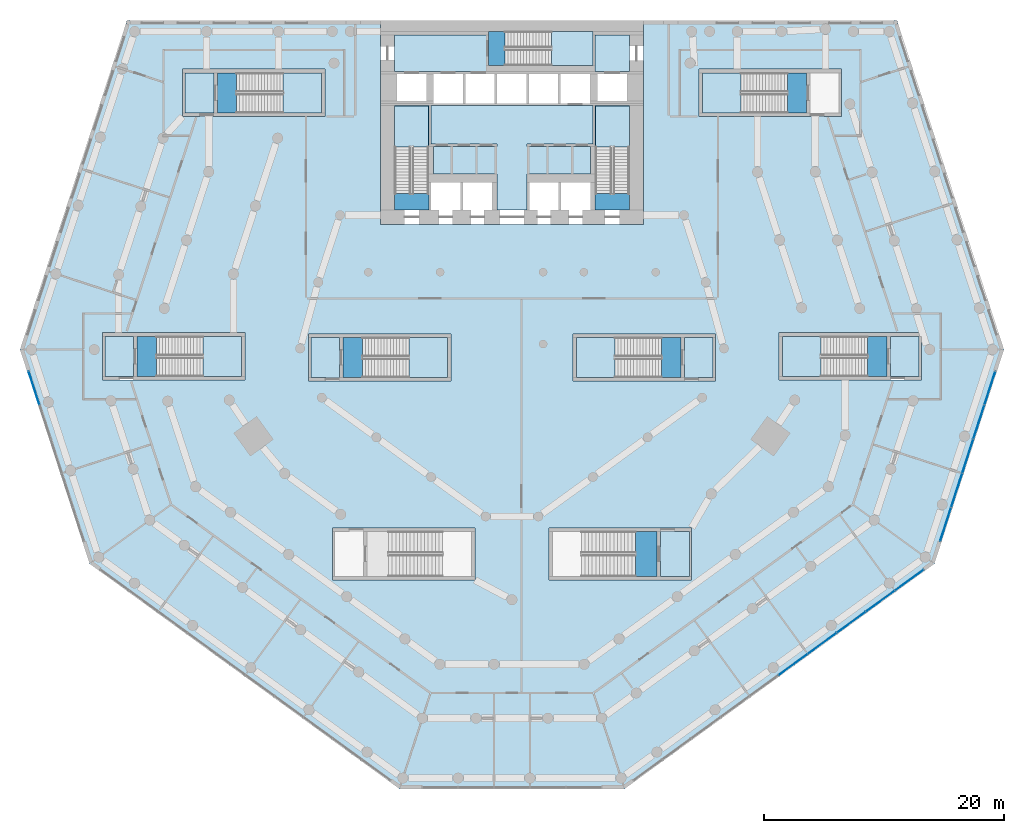
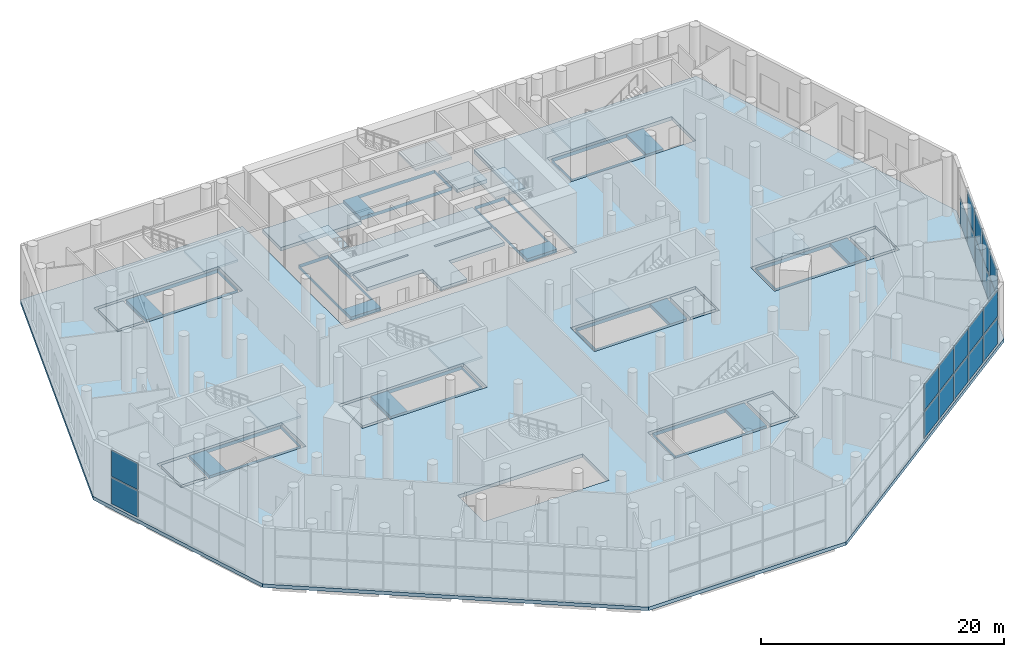
# One storey, part 10 of 23: 29 slabs, 21 plates, 12 elements without a shape of their own.
"""IFC4 building model written with IfcOpenShell, lengths in metres."""

from ifc_helpers import new_model, si_unit, direction, frame, origin, origin_2d, place, context, subcontext, project, spatial, polyline, rectangle, outline, extrude, material, layer, layer_set, type_object, element, aggregate, save


model = new_model("IFC4")

# Units and contexts
model_context = context("Model", 3, precision=1e-05, world=origin(), true_north=direction((0.0, 1.0)))
body_context = subcontext(model_context, "Body", "Model", "MODEL_VIEW")
ifc_project = project(units=[si_unit("LENGTHUNIT", "METRE"), si_unit("AREAUNIT", "SQUARE_METRE"), si_unit("VOLUMEUNIT", "CUBIC_METRE"), si_unit("PLANEANGLEUNIT", "RADIAN"), si_unit("MASSUNIT", "GRAM", prefix="KILO")], contexts=[model_context])

# Site, building, storey
site_placement = place(None, origin())
site = spatial("IfcSite", under=ifc_project, at=site_placement, CompositionType="ELEMENT")
building_placement = place(site_placement, origin())
building = spatial("IfcBuilding", under=site, at=building_placement, Name="White Candle Pilgrim Tower", CompositionType="ELEMENT")
storey_placement = place(building_placement, frame((0.0, 0.0, 9.0)))
storey = spatial("IfcBuildingStorey", under=building, at=storey_placement, Name="L01", CompositionType="ELEMENT", Elevation=9.0)

# Curtain wall, plates
ifc_material_1 = material(Name="Aluminium and glass", Category="aluminium")
curtain_wall_type = type_object("IfcCurtainWallType", Name="Curtain wall CW1 hall glazing", PredefinedType="NOTDEFINED", material=ifc_material_1)
curtain_wall_1_placement = place(storey_placement, origin())
curtain_wall_1 = element("IfcCurtainWall", 1, at=curtain_wall_1_placement, inside=storey, type_object=curtain_wall_type, Name="Curtain wall CW1 L01 W chamfer", PredefinedType="NOTDEFINED")
ifc_material_2 = material(Name="Glass, triple glazed", Category="glass")
ifc_layer_1 = layer(ifc_material_2, 0.0400390625)
ifc_layer_set_1 = layer_set([ifc_layer_1], Name="CW1 glazing panel 40")
plate_type = type_object("IfcPlateType", Name="CW1 glazing panel 40", PredefinedType="CURTAIN_PANEL", material=ifc_layer_set_1)
plate_1_placement = place(storey_placement, frame((30.094970703125, 57.3271484375, 0.119873046875), z_axis=(0.0, 0.0, 1.0), x_axis=(0.309016994392, -0.95105651629, 0.0)))
plate_1 = element("IfcPlate", 2, at=plate_1_placement, type_object=plate_type, Name="CW1 panel 1.1", PredefinedType="CURTAIN_PANEL", context=body_context, shape_type="SweptSolid", body=[
    extrude(rectangle(XDim=2.909912109375, YDim=0.0400390625, at=origin_2d()), origin(), (0.0, 0.0, 1.0), 2.64501953125),
])
plate_2_placement = place(storey_placement, frame((30.094970703125, 57.3271484375, 2.885009765625), z_axis=(0.0, 0.0, 1.0), x_axis=(0.309016994392, -0.95105651629, 0.0)))
plate_2 = element("IfcPlate", 3, at=plate_2_placement, type_object=plate_type, Name="CW1 panel 1.2", PredefinedType="CURTAIN_PANEL", context=body_context, shape_type="SweptSolid", body=[
    extrude(rectangle(XDim=2.909912109375, YDim=0.0400390625, at=origin_2d()), origin(), (0.0, 0.0, 1.0), 2.64501953125),
])
aggregate(curtain_wall_1, [plate_1, plate_2])

curtain_wall_2_placement = place(storey_placement, origin())
curtain_wall_2 = element("IfcCurtainWall", 4, at=curtain_wall_2_placement, inside=storey, type_object=curtain_wall_type, Name="Curtain wall CW1 L01 SE", PredefinedType="NOTDEFINED")
plate_3_placement = place(storey_placement, frame((93.475830078125, 34.240234375, 0.119873046875), z_axis=(0.0, 0.0, 1.0), x_axis=(0.809016991061, 0.587785256853, 0.0)))
plate_3 = element("IfcPlate", 5, at=plate_3_placement, type_object=plate_type, Name="CW1 panel 6.1", PredefinedType="CURTAIN_PANEL", context=body_context, shape_type="SweptSolid", body=[
    extrude(rectangle(XDim=2.93994140625, YDim=0.0400390625, at=origin_2d()), origin(), (0.0, 0.0, 1.0), 2.64501953125),
])
plate_4_placement = place(storey_placement, frame((93.475830078125, 34.240234375, 2.885009765625), z_axis=(0.0, 0.0, 1.0), x_axis=(0.809016991061, 0.587785256853, 0.0)))
plate_4 = element("IfcPlate", 6, at=plate_4_placement, type_object=plate_type, Name="CW1 panel 6.2", PredefinedType="CURTAIN_PANEL", context=body_context, shape_type="SweptSolid", body=[
    extrude(rectangle(XDim=2.93994140625, YDim=0.0400390625, at=origin_2d()), origin(), (0.0, 0.0, 1.0), 2.64501953125),
])
plate_5_placement = place(storey_placement, frame((95.90283203125, 36.00341796875, 0.119873046875), z_axis=(0.0, 0.0, 1.0), x_axis=(0.809016991061, 0.587785256853, 0.0)))
plate_5 = element("IfcPlate", 7, at=plate_5_placement, type_object=plate_type, Name="CW1 panel 7.1", PredefinedType="CURTAIN_PANEL", context=body_context, shape_type="SweptSolid", body=[
    extrude(rectangle(XDim=2.93994140625, YDim=0.0400390625, at=origin_2d()), origin(), (0.0, 0.0, 1.0), 2.64501953125),
])
plate_6_placement = place(storey_placement, frame((95.90283203125, 36.00341796875, 2.885009765625), z_axis=(0.0, 0.0, 1.0), x_axis=(0.809016991061, 0.587785256853, 0.0)))
plate_6 = element("IfcPlate", 8, at=plate_6_placement, type_object=plate_type, Name="CW1 panel 7.2", PredefinedType="CURTAIN_PANEL", context=body_context, shape_type="SweptSolid", body=[
    extrude(rectangle(XDim=2.93994140625, YDim=0.0400390625, at=origin_2d()), origin(), (0.0, 0.0, 1.0), 2.64501953125),
])
plate_7_placement = place(storey_placement, frame((98.330078125, 37.766845703125, 0.119873046875), z_axis=(0.0, 0.0, 1.0), x_axis=(0.809016991061, 0.587785256853, 0.0)))
plate_7 = element("IfcPlate", 9, at=plate_7_placement, type_object=plate_type, Name="CW1 panel 8.1", PredefinedType="CURTAIN_PANEL", context=body_context, shape_type="SweptSolid", body=[
    extrude(rectangle(XDim=2.93994140625, YDim=0.0400390625, at=origin_2d()), origin(), (0.0, 0.0, 1.0), 2.64501953125),
])
plate_8_placement = place(storey_placement, frame((98.330078125, 37.766845703125, 2.885009765625), z_axis=(0.0, 0.0, 1.0), x_axis=(0.809016991061, 0.587785256853, 0.0)))
plate_8 = element("IfcPlate", 10, at=plate_8_placement, type_object=plate_type, Name="CW1 panel 8.2", PredefinedType="CURTAIN_PANEL", context=body_context, shape_type="SweptSolid", body=[
    extrude(rectangle(XDim=2.93994140625, YDim=0.0400390625, at=origin_2d()), origin(), (0.0, 0.0, 1.0), 2.64501953125),
])
plate_9_placement = place(storey_placement, frame((100.757080078125, 39.5302734375, 0.119873046875), z_axis=(0.0, 0.0, 1.0), x_axis=(0.809016991061, 0.587785256853, 0.0)))
plate_9 = element("IfcPlate", 11, at=plate_9_placement, type_object=plate_type, Name="CW1 panel 9.1", PredefinedType="CURTAIN_PANEL", context=body_context, shape_type="SweptSolid", body=[
    extrude(rectangle(XDim=2.93994140625, YDim=0.0400390625, at=origin_2d()), origin(), (0.0, 0.0, 1.0), 2.64501953125),
])
plate_10_placement = place(storey_placement, frame((100.757080078125, 39.5302734375, 2.885009765625), z_axis=(0.0, 0.0, 1.0), x_axis=(0.809016991061, 0.587785256853, 0.0)))
plate_10 = element("IfcPlate", 12, at=plate_10_placement, type_object=plate_type, Name="CW1 panel 9.2", PredefinedType="CURTAIN_PANEL", context=body_context, shape_type="SweptSolid", body=[
    extrude(rectangle(XDim=2.93994140625, YDim=0.0400390625, at=origin_2d()), origin(), (0.0, 0.0, 1.0), 2.64501953125),
])
plate_11_placement = place(storey_placement, frame((103.171875, 41.28466796875, 0.119873046875), z_axis=(0.0, 0.0, 1.0), x_axis=(0.809016991061, 0.587785256853, 0.0)))
plate_11 = element("IfcPlate", 13, at=plate_11_placement, type_object=plate_type, Name="CW1 panel 10.1", PredefinedType="CURTAIN_PANEL", context=body_context, shape_type="SweptSolid", body=[
    extrude(rectangle(XDim=2.909912109375, YDim=0.0400390625, at=origin_2d()), origin(), (0.0, 0.0, 1.0), 2.64501953125),
])
plate_12_placement = place(storey_placement, frame((103.171875, 41.28466796875, 2.885009765625), z_axis=(0.0, 0.0, 1.0), x_axis=(0.809016991061, 0.587785256853, 0.0)))
plate_12 = element("IfcPlate", 14, at=plate_12_placement, type_object=plate_type, Name="CW1 panel 10.2", PredefinedType="CURTAIN_PANEL", context=body_context, shape_type="SweptSolid", body=[
    extrude(rectangle(XDim=2.909912109375, YDim=0.0400390625, at=origin_2d()), origin(), (0.0, 0.0, 1.0), 2.64501953125),
])
aggregate(curtain_wall_2, [plate_3, plate_4, plate_5, plate_6, plate_7, plate_8, plate_9, plate_10, plate_11, plate_12])

curtain_wall_3_placement = place(storey_placement, origin())
curtain_wall_3 = element("IfcCurtainWall", 15, at=curtain_wall_3_placement, inside=storey, type_object=curtain_wall_type, Name="Curtain wall CW1 L01 E chamfer", PredefinedType="NOTDEFINED")
plate_13_placement = place(storey_placement, frame((106.2060546875, 45.94287109375, 0.119873046875), z_axis=(0.0, 0.0, 1.0), x_axis=(0.309016994342, 0.951056516306, 0.0)))
plate_13 = element("IfcPlate", 16, at=plate_13_placement, type_object=plate_type, Name="CW1 panel 1.1", PredefinedType="CURTAIN_PANEL", context=body_context, shape_type="SweptSolid", body=[
    extrude(rectangle(XDim=2.909912109375, YDim=0.0400390625, at=origin_2d()), origin(), (0.0, 0.0, 1.0), 2.64501953125),
])
plate_14_placement = place(storey_placement, frame((106.2060546875, 45.94287109375, 2.885009765625), z_axis=(0.0, 0.0, 1.0), x_axis=(0.309016994342, 0.951056516306, 0.0)))
plate_14 = element("IfcPlate", 17, at=plate_14_placement, type_object=plate_type, Name="CW1 panel 1.2", PredefinedType="CURTAIN_PANEL", context=body_context, shape_type="SweptSolid", body=[
    extrude(rectangle(XDim=2.909912109375, YDim=0.0400390625, at=origin_2d()), origin(), (0.0, 0.0, 1.0), 2.64501953125),
])
plate_15_placement = place(storey_placement, frame((107.12841796875, 48.78173828125, 0.119873046875), z_axis=(0.0, 0.0, 1.0), x_axis=(0.309016994342, 0.951056516306, 0.0)))
plate_15 = element("IfcPlate", 18, at=plate_15_placement, type_object=plate_type, Name="CW1 panel 2.1", PredefinedType="CURTAIN_PANEL", context=body_context, shape_type="SweptSolid", body=[
    extrude(rectangle(XDim=2.93994140625, YDim=0.0400390625, at=origin_2d()), origin(), (0.0, 0.0, 1.0), 2.64501953125),
])
plate_16_placement = place(storey_placement, frame((107.12841796875, 48.78173828125, 2.885009765625), z_axis=(0.0, 0.0, 1.0), x_axis=(0.309016994342, 0.951056516306, 0.0)))
plate_16 = element("IfcPlate", 19, at=plate_16_placement, type_object=plate_type, Name="CW1 panel 2.2", PredefinedType="CURTAIN_PANEL", context=body_context, shape_type="SweptSolid", body=[
    extrude(rectangle(XDim=2.93994140625, YDim=0.0400390625, at=origin_2d()), origin(), (0.0, 0.0, 1.0), 2.64501953125),
])
plate_17_placement = place(storey_placement, frame((108.055419921875, 51.635009765625, 0.119873046875), z_axis=(0.0, 0.0, 1.0), x_axis=(0.309016994342, 0.951056516306, 0.0)))
plate_17 = element("IfcPlate", 20, at=plate_17_placement, type_object=plate_type, Name="CW1 panel 3.1", PredefinedType="CURTAIN_PANEL", context=body_context, shape_type="SweptSolid", body=[
    extrude(rectangle(XDim=2.93994140625, YDim=0.0400390625, at=origin_2d()), origin(), (0.0, 0.0, 1.0), 2.64501953125),
])
plate_18_placement = place(storey_placement, frame((108.055419921875, 51.635009765625, 2.885009765625), z_axis=(0.0, 0.0, 1.0), x_axis=(0.309016994342, 0.951056516306, 0.0)))
plate_18 = element("IfcPlate", 21, at=plate_18_placement, type_object=plate_type, Name="CW1 panel 3.2", PredefinedType="CURTAIN_PANEL", context=body_context, shape_type="SweptSolid", body=[
    extrude(rectangle(XDim=2.93994140625, YDim=0.0400390625, at=origin_2d()), origin(), (0.0, 0.0, 1.0), 2.64501953125),
])
plate_19_placement = place(storey_placement, frame((108.982666015625, 54.48828125, 0.119873046875), z_axis=(0.0, 0.0, 1.0), x_axis=(0.309016994342, 0.951056516306, 0.0)))
plate_19 = element("IfcPlate", 22, at=plate_19_placement, type_object=plate_type, Name="CW1 panel 4.1", PredefinedType="CURTAIN_PANEL", context=body_context, shape_type="SweptSolid", body=[
    extrude(rectangle(XDim=2.93994140625, YDim=0.0400390625, at=origin_2d()), origin(), (0.0, 0.0, 1.0), 2.64501953125),
])
plate_20_placement = place(storey_placement, frame((108.982666015625, 54.48828125, 2.885009765625), z_axis=(0.0, 0.0, 1.0), x_axis=(0.309016994342, 0.951056516306, 0.0)))
plate_20 = element("IfcPlate", 23, at=plate_20_placement, type_object=plate_type, Name="CW1 panel 4.2", PredefinedType="CURTAIN_PANEL", context=body_context, shape_type="SweptSolid", body=[
    extrude(rectangle(XDim=2.93994140625, YDim=0.0400390625, at=origin_2d()), origin(), (0.0, 0.0, 1.0), 2.64501953125),
])
plate_21_placement = place(storey_placement, frame((109.905029296875, 57.3271484375, 0.119873046875), z_axis=(0.0, 0.0, 1.0), x_axis=(0.309016994342, 0.951056516306, 0.0)))
plate_21 = element("IfcPlate", 24, at=plate_21_placement, type_object=plate_type, Name="CW1 panel 5.1", PredefinedType="CURTAIN_PANEL", context=body_context, shape_type="SweptSolid", body=[
    extrude(rectangle(XDim=2.909912109375, YDim=0.0400390625, at=origin_2d()), origin(), (0.0, 0.0, 1.0), 2.64501953125),
])
aggregate(curtain_wall_3, [plate_13, plate_14, plate_15, plate_16, plate_17, plate_18, plate_19, plate_20, plate_21])

# Slabs
ifc_material_3 = material(Name="Concrete C40/50", Category="concrete")
ifc_layer_2 = layer(ifc_material_3, 0.35009765625)
ifc_layer_set_2 = layer_set([ifc_layer_2], Name="Core floor slab 350 mm Concrete C40/50")
slab_type_1 = type_object("IfcSlabType", Name="Core floor slab 350 mm Concrete C40/50", PredefinedType="FLOOR", material=ifc_layer_set_2)
slab_1_placement = place(storey_placement, frame((0.0, 0.0, -0.35009765625)))
element("IfcSlab", 25, at=slab_1_placement, inside=storey, type_object=slab_type_1, Name="CF-L01-03", PredefinedType="FLOOR", context=body_context, shape_type="SweptSolid", body=[
    extrude(outline(polyline([(53.199951171875, 61.550048828125), (55.60009765625, 61.550048828125), (55.60009765625, 58.199951171875), (53.199951171875, 58.199951171875), (53.199951171875, 61.550048828125)])), origin(), (0.0, 0.0, 1.0), 0.35009765625),
])
slab_2_placement = place(storey_placement, frame((0.0, 0.0, -0.35009765625)))
element("IfcSlab", 26, at=slab_2_placement, inside=storey, type_object=slab_type_1, Name="CF-L01-04", PredefinedType="FLOOR", context=body_context, shape_type="SweptSolid", body=[
    extrude(outline(polyline([(55.89990234375, 61.550048828125), (64.60009765625, 61.550048828125), (64.60009765625, 58.199951171875), (55.89990234375, 58.199951171875), (55.89990234375, 61.550048828125)]), holes=[polyline([(64.597900390625, 61.548095703125), (57.501953125, 61.548095703125), (57.501953125, 58.201904296875), (64.597900390625, 58.201904296875), (64.597900390625, 61.548095703125)])]), origin(), (0.0, 0.0, 1.0), 0.35009765625),
])
slab_3_placement = place(storey_placement, frame((0.0, 0.0, -0.35009765625)))
element("IfcSlab", 27, at=slab_3_placement, inside=storey, type_object=slab_type_1, Name="CF-L01-05", PredefinedType="FLOOR", context=body_context, shape_type="SweptSolid", body=[
    extrude(outline(polyline([(36.0, 61.64990234375), (38.39990234375, 61.64990234375), (38.39990234375, 58.300048828125), (36.0, 58.300048828125), (36.0, 61.64990234375)])), origin(), (0.0, 0.0, 1.0), 0.35009765625),
])
slab_4_placement = place(storey_placement, frame((0.0, 0.0, -0.35009765625)))
element("IfcSlab", 28, at=slab_4_placement, inside=storey, type_object=slab_type_1, Name="CF-L01-06", PredefinedType="FLOOR", context=body_context, shape_type="SweptSolid", body=[
    extrude(outline(polyline([(47.39990234375, 61.64990234375), (47.39990234375, 58.300048828125), (38.699951171875, 58.300048828125), (38.699951171875, 61.64990234375), (47.39990234375, 61.64990234375)]), holes=[polyline([(47.39794921875, 61.64794921875), (40.302001953125, 61.64794921875), (40.302001953125, 58.302001953125), (47.39794921875, 58.302001953125), (47.39794921875, 61.64794921875)])]), origin(), (0.0, 0.0, 1.0), 0.35009765625),
])
slab_5_placement = place(storey_placement, frame((0.0, 0.0, -0.35009765625)))
element("IfcSlab", 29, at=slab_5_placement, inside=storey, type_object=slab_type_1, Name="CF-L01-07", PredefinedType="FLOOR", context=body_context, shape_type="SweptSolid", body=[
    extrude(outline(polyline([(60.199951171875, 80.89990234375), (63.050048828125, 80.89990234375), (63.050048828125, 77.699951171875), (63.050048828125, 77.5), (63.050048828125, 75.199951171875), (63.050048828125, 74.5), (63.050048828125, 72.199951171875), (60.199951171875, 72.199951171875), (60.199951171875, 80.89990234375)]), holes=[polyline([(60.201904296875, 80.89794921875), (60.201904296875, 73.552001953125), (63.048095703125, 73.552001953125), (63.048095703125, 80.89794921875), (60.201904296875, 80.89794921875)])]), origin(), (0.0, 0.0, 1.0), 0.35009765625),
])
slab_6_placement = place(storey_placement, frame((0.0, 0.0, -0.35009765625)))
element("IfcSlab", 30, at=slab_6_placement, inside=storey, type_object=slab_type_1, Name="CF-L01-08", PredefinedType="FLOOR", context=body_context, shape_type="SweptSolid", body=[
    extrude(outline(polyline([(60.199951171875, 86.800048828125), (67.85009765625, 86.800048828125), (67.85009765625, 84.25), (67.85009765625, 83.75), (60.199951171875, 83.75), (60.199951171875, 86.800048828125)])), origin(), (0.0, 0.0, 1.0), 0.35009765625),
])
slab_7_placement = place(storey_placement, frame((0.0, 0.0, -0.35009765625)))
element("IfcSlab", 31, at=slab_7_placement, inside=storey, type_object=slab_type_1, Name="CF-L01-09", PredefinedType="FLOOR", context=body_context, shape_type="SweptSolid", body=[
    extrude(outline(polyline([(68.050048828125, 87.10009765625), (76.75, 87.10009765625), (76.75, 86.800048828125), (76.75, 84.25), (68.050048828125, 84.25), (68.050048828125, 86.800048828125), (68.050048828125, 87.10009765625)]), holes=[polyline([(76.748046875, 87.097900390625), (69.402099609375, 87.097900390625), (69.402099609375, 84.251953125), (76.748046875, 84.251953125), (76.748046875, 87.097900390625)])]), origin(), (0.0, 0.0, 1.0), 0.35009765625),
])
slab_8_placement = place(storey_placement, frame((0.0, 0.0, -0.35009765625)))
element("IfcSlab", 32, at=slab_8_placement, inside=storey, type_object=slab_type_1, Name="CF-L01-10", PredefinedType="FLOOR", context=body_context, shape_type="SweptSolid", body=[
    extrude(outline(polyline([(79.800048828125, 86.800048828125), (79.800048828125, 83.75), (76.949951171875, 83.75), (76.949951171875, 84.25), (76.949951171875, 86.800048828125), (79.800048828125, 86.800048828125)])), origin(), (0.0, 0.0, 1.0), 0.35009765625),
])
slab_9_placement = place(storey_placement, frame((0.0, 0.0, -0.35009765625)))
element("IfcSlab", 33, at=slab_9_placement, inside=storey, type_object=slab_type_1, Name="CF-L01-11", PredefinedType="FLOOR", context=body_context, shape_type="SweptSolid", body=[
    extrude(outline(polyline([(79.800048828125, 72.199951171875), (76.949951171875, 72.199951171875), (76.949951171875, 74.5), (76.949951171875, 75.199951171875), (76.949951171875, 77.5), (76.949951171875, 77.699951171875), (76.949951171875, 80.89990234375), (79.800048828125, 80.89990234375), (79.800048828125, 72.199951171875)]), holes=[polyline([(76.951904296875, 73.552001953125), (79.798095703125, 73.552001953125), (79.798095703125, 80.89794921875), (76.951904296875, 80.89794921875), (76.951904296875, 73.552001953125)])]), origin(), (0.0, 0.0, 1.0), 0.35009765625),
])
slab_10_placement = place(storey_placement, frame((0.0, 0.0, -0.35009765625)))
element("IfcSlab", 34, at=slab_10_placement, inside=storey, type_object=slab_type_1, Name="CF-L01-12", PredefinedType="FLOOR", context=body_context, shape_type="SweptSolid", body=[
    extrude(outline(polyline([(68.75, 72.199951171875), (68.75, 74.5), (68.75, 75.199951171875), (63.449951171875, 75.199951171875), (63.449951171875, 77.5), (68.75, 77.5), (68.75, 77.699951171875), (63.25, 77.699951171875), (63.25, 80.89990234375), (76.75, 80.89990234375), (76.75, 77.699951171875), (71.25, 77.699951171875), (71.25, 77.5), (76.550048828125, 77.5), (76.550048828125, 75.199951171875), (71.25, 75.199951171875), (71.25, 74.5), (71.25, 72.199951171875), (68.75, 72.199951171875)])), origin(), (0.0, 0.0, 1.0), 0.35009765625),
])
slab_11_placement = place(storey_placement, frame((0.0, 0.0, -0.35009765625)))
element("IfcSlab", 35, at=slab_11_placement, inside=storey, type_object=slab_type_1, Name="CF-L01-13", PredefinedType="FLOOR", context=body_context, shape_type="SweptSolid", body=[
    extrude(outline(polyline([(45.10009765625, 83.64990234375), (45.10009765625, 80.300048828125), (42.699951171875, 80.300048828125), (42.699951171875, 83.64990234375), (45.10009765625, 83.64990234375)])), origin(), (0.0, 0.0, 1.0), 0.35009765625),
])
slab_12_placement = place(storey_placement, frame((0.0, 0.0, -0.35009765625)))
element("IfcSlab", 36, at=slab_12_placement, inside=storey, type_object=slab_type_1, Name="CF-L01-14", PredefinedType="FLOOR", context=body_context, shape_type="SweptSolid", body=[
    extrude(outline(polyline([(54.10009765625, 83.64990234375), (54.10009765625, 80.300048828125), (45.39990234375, 80.300048828125), (45.39990234375, 83.64990234375), (54.10009765625, 83.64990234375)]), holes=[polyline([(54.097900390625, 83.64794921875), (47.001953125, 83.64794921875), (47.001953125, 80.302001953125), (54.097900390625, 80.302001953125), (54.097900390625, 83.64794921875)])]), origin(), (0.0, 0.0, 1.0), 0.35009765625),
])
slab_13_placement = place(storey_placement, frame((0.0, 0.0, -0.35009765625)))
element("IfcSlab", 37, at=slab_13_placement, inside=storey, type_object=slab_type_1, Name="CF-L01-15", PredefinedType="FLOOR", context=body_context, shape_type="SweptSolid", body=[
    extrude(outline(polyline([(82.10009765625, 41.60009765625), (73.39990234375, 41.60009765625), (73.39990234375, 45.35009765625), (82.10009765625, 45.35009765625), (82.10009765625, 41.60009765625)]), holes=[polyline([(73.402099609375, 41.60205078125), (80.298095703125, 41.60205078125), (80.298095703125, 45.347900390625), (73.402099609375, 45.347900390625), (73.402099609375, 41.60205078125)])]), origin(), (0.0, 0.0, 1.0), 0.35009765625),
])
slab_14_placement = place(storey_placement, frame((0.0, 0.0, -0.35009765625)))
element("IfcSlab", 38, at=slab_14_placement, inside=storey, type_object=slab_type_1, Name="CF-L01-16", PredefinedType="FLOOR", context=body_context, shape_type="SweptSolid", body=[
    extrude(outline(polyline([(84.800048828125, 41.60009765625), (82.39990234375, 41.60009765625), (82.39990234375, 45.35009765625), (84.800048828125, 45.35009765625), (84.800048828125, 41.60009765625)])), origin(), (0.0, 0.0, 1.0), 0.35009765625),
])
slab_15_placement = place(storey_placement, frame((0.0, 0.0, -0.35009765625)))
element("IfcSlab", 39, at=slab_15_placement, inside=storey, type_object=slab_type_1, Name="CF-L01-17", PredefinedType="FLOOR", context=body_context, shape_type="SweptSolid", body=[
    extrude(outline(polyline([(75.39990234375, 61.550048828125), (84.10009765625, 61.550048828125), (84.10009765625, 58.199951171875), (75.39990234375, 58.199951171875), (75.39990234375, 61.550048828125)]), holes=[polyline([(75.402099609375, 58.201904296875), (82.498046875, 58.201904296875), (82.498046875, 61.548095703125), (75.402099609375, 61.548095703125), (75.402099609375, 58.201904296875)])]), origin(), (0.0, 0.0, 1.0), 0.35009765625),
])
slab_16_placement = place(storey_placement, frame((0.0, 0.0, -0.35009765625)))
element("IfcSlab", 40, at=slab_16_placement, inside=storey, type_object=slab_type_1, Name="CF-L01-18", PredefinedType="FLOOR", context=body_context, shape_type="SweptSolid", body=[
    extrude(outline(polyline([(84.39990234375, 61.550048828125), (86.800048828125, 61.550048828125), (86.800048828125, 58.199951171875), (84.39990234375, 58.199951171875), (84.39990234375, 61.550048828125)])), origin(), (0.0, 0.0, 1.0), 0.35009765625),
])
slab_17_placement = place(storey_placement, frame((0.0, 0.0, -0.35009765625)))
element("IfcSlab", 41, at=slab_17_placement, inside=storey, type_object=slab_type_1, Name="CF-L01-19", PredefinedType="FLOOR", context=body_context, shape_type="SweptSolid", body=[
    extrude(outline(polyline([(92.60009765625, 61.64990234375), (101.300048828125, 61.64990234375), (101.300048828125, 58.300048828125), (92.60009765625, 58.300048828125), (92.60009765625, 61.64990234375)]), holes=[polyline([(92.60205078125, 58.302001953125), (99.697998046875, 58.302001953125), (99.697998046875, 61.64794921875), (92.60205078125, 61.64794921875), (92.60205078125, 58.302001953125)])]), origin(), (0.0, 0.0, 1.0), 0.35009765625),
])
slab_18_placement = place(storey_placement, frame((0.0, 0.0, -0.35009765625)))
element("IfcSlab", 42, at=slab_18_placement, inside=storey, type_object=slab_type_1, Name="CF-L01-20", PredefinedType="FLOOR", context=body_context, shape_type="SweptSolid", body=[
    extrude(outline(polyline([(101.60009765625, 61.64990234375), (104.0, 61.64990234375), (104.0, 58.300048828125), (101.60009765625, 58.300048828125), (101.60009765625, 61.64990234375)])), origin(), (0.0, 0.0, 1.0), 0.35009765625),
])
slab_19_placement = place(storey_placement, frame((0.0, 0.0, -0.35009765625)))
element("IfcSlab", 43, at=slab_19_placement, inside=storey, type_object=slab_type_1, Name="CF-L01-21", PredefinedType="FLOOR", context=body_context, shape_type="SweptSolid", body=[
    extrude(outline(polyline([(94.60009765625, 83.64990234375), (94.60009765625, 80.300048828125), (85.89990234375, 80.300048828125), (85.89990234375, 83.64990234375), (94.60009765625, 83.64990234375)]), holes=[polyline([(85.902099609375, 80.302001953125), (92.998046875, 80.302001953125), (92.998046875, 83.64794921875), (85.902099609375, 83.64794921875), (85.902099609375, 80.302001953125)])]), origin(), (0.0, 0.0, 1.0), 0.35009765625),
])
ifc_layer_3 = layer(ifc_material_3, 0.35009765625)
ifc_layer_set_3 = layer_set([ifc_layer_3], Name="Floor slab 350 REI 240")
slab_type_2 = type_object("IfcSlabType", Name="Floor slab 350 REI 240", PredefinedType="FLOOR", material=ifc_layer_set_3)
slab_20_placement = place(storey_placement, frame((0.0, 0.0, -0.35009765625)))
element("IfcSlab", 44, at=slab_20_placement, inside=storey, type_object=slab_type_2, Name="L01 floor slab", PredefinedType="FLOOR", context=body_context, shape_type="SweptSolid", body=[
    extrude(outline(polyline([(60.596923828125, 23.861083984375), (79.403076171875, 23.861083984375), (105.268798828125, 42.653564453125), (111.080078125, 60.539306640625), (102.157470703125, 88.0), (81.0, 88.0), (81.0, 71.0), (59.0, 71.0), (59.0, 88.0), (37.842529296875, 88.0), (28.919921875, 60.539306640625), (34.731201171875, 42.653564453125), (60.596923828125, 23.861083984375)]), holes=[polyline([(55.0, 41.300048828125), (55.0, 45.64990234375), (66.89990234375, 45.64990234375), (66.89990234375, 41.300048828125), (55.0, 41.300048828125)]), polyline([(73.10009765625, 41.300048828125), (73.10009765625, 45.64990234375), (85.0, 45.64990234375), (85.0, 41.300048828125), (73.10009765625, 41.300048828125)]), polyline([(53.0, 57.89990234375), (53.0, 61.85009765625), (64.89990234375, 61.85009765625), (64.89990234375, 57.89990234375), (53.0, 57.89990234375)]), polyline([(75.10009765625, 57.89990234375), (75.10009765625, 61.85009765625), (87.0, 61.85009765625), (87.0, 57.89990234375), (75.10009765625, 57.89990234375)]), polyline([(35.800048828125, 58.0), (35.800048828125, 61.949951171875), (47.699951171875, 61.949951171875), (47.699951171875, 58.0), (35.800048828125, 58.0)]), polyline([(92.300048828125, 58.0), (92.300048828125, 61.949951171875), (104.199951171875, 61.949951171875), (104.199951171875, 58.0), (92.300048828125, 58.0)]), polyline([(42.5, 80.0), (42.5, 83.949951171875), (54.39990234375, 83.949951171875), (54.39990234375, 80.0), (42.5, 80.0)]), polyline([(85.60009765625, 80.0), (85.60009765625, 83.949951171875), (97.5, 83.949951171875), (97.5, 80.0), (85.60009765625, 80.0)])]), origin(), (0.0, 0.0, 1.0), 0.35009765625),
])

# Stair, slab
stair_type_1 = type_object("IfcStairType", Name="Exit stair 1 flight width 1350 mm", PredefinedType="HALF_TURN_STAIR", material=ifc_material_3)
stair_1_placement = place(storey_placement, origin())
stair_1 = element("IfcStair", 45, at=stair_1_placement, inside=storey, type_object=stair_type_1, Name="L01 stair 1", PredefinedType="NOTDEFINED")
ifc_layer_4 = layer(ifc_material_3, 0.199951171875)
ifc_layer_set_4 = layer_set([ifc_layer_4], Name="Stair landing Concrete C40/50")
slab_type_3 = type_object("IfcSlabType", Name="Stair landing Concrete C40/50", PredefinedType="LANDING", material=ifc_layer_set_4)
slab_21_placement = place(storey_placement, frame((0.0, 0.0, 2.800048828125)))
slab_21 = element("IfcSlab", 46, at=slab_21_placement, type_object=slab_type_3, Name="ST1 landing 1", PredefinedType="LANDING", context=body_context, shape_type="SweptSolid", body=[
    extrude(outline(polyline([(63.052001953125, 77.447998046875), (60.197998046875, 77.447998046875), (60.197998046875, 80.902099609375), (63.052001953125, 80.902099609375), (63.052001953125, 77.447998046875)])), origin(), (0.0, 0.0, 1.0), 0.199951171875),
])
aggregate(stair_1, [slab_21])

stair_type_2 = type_object("IfcStairType", Name="Exit stair 2 flight width 1350 mm", PredefinedType="HALF_TURN_STAIR", material=ifc_material_3)
stair_2_placement = place(storey_placement, origin())
stair_2 = element("IfcStair", 47, at=stair_2_placement, inside=storey, type_object=stair_type_2, Name="L01 stair 2", PredefinedType="NOTDEFINED")
slab_22_placement = place(storey_placement, frame((0.0, 0.0, 2.800048828125)))
slab_22 = element("IfcSlab", 48, at=slab_22_placement, type_object=slab_type_3, Name="ST2 landing 1", PredefinedType="LANDING", context=body_context, shape_type="SweptSolid", body=[
    extrude(outline(polyline([(79.802001953125, 77.447998046875), (76.947998046875, 77.447998046875), (76.947998046875, 80.902099609375), (79.802001953125, 80.902099609375), (79.802001953125, 77.447998046875)])), origin(), (0.0, 0.0, 1.0), 0.199951171875),
])
aggregate(stair_2, [slab_22])

stair_type_3 = type_object("IfcStairType", Name="Exit stair 3 flight width 1350 mm", PredefinedType="HALF_TURN_STAIR", material=ifc_material_3)
stair_3_placement = place(storey_placement, origin())
stair_3 = element("IfcStair", 49, at=stair_3_placement, inside=storey, type_object=stair_type_3, Name="L01 stair 3", PredefinedType="NOTDEFINED")
slab_23_placement = place(storey_placement, frame((0.0, 0.0, 2.800048828125)))
slab_23 = element("IfcSlab", 50, at=slab_23_placement, type_object=slab_type_3, Name="ST3 landing 1", PredefinedType="LANDING", context=body_context, shape_type="SweptSolid", body=[
    extrude(outline(polyline([(73.298095703125, 84.248046875), (73.298095703125, 87.10205078125), (76.751953125, 87.10205078125), (76.751953125, 84.248046875), (73.298095703125, 84.248046875)])), origin(), (0.0, 0.0, 1.0), 0.199951171875),
])
aggregate(stair_3, [slab_23])

stair_type_4 = type_object("IfcStairType", Name="Exit stair 4 flight width 1600 mm", PredefinedType="HALF_TURN_STAIR", material=ifc_material_3)
stair_4_placement = place(storey_placement, origin())
stair_4 = element("IfcStair", 51, at=stair_4_placement, inside=storey, type_object=stair_type_4, Name="L01 stair 4", PredefinedType="NOTDEFINED")
slab_24_placement = place(storey_placement, frame((0.0, 0.0, 2.800048828125)))
slab_24 = element("IfcSlab", 52, at=slab_24_placement, type_object=slab_type_3, Name="ST4 landing 1", PredefinedType="LANDING", context=body_context, shape_type="SweptSolid", body=[
    extrude(outline(polyline([(78.60205078125, 61.552001953125), (78.60205078125, 58.197998046875), (75.39794921875, 58.197998046875), (75.39794921875, 61.552001953125), (78.60205078125, 61.552001953125)])), origin(), (0.0, 0.0, 1.0), 0.199951171875),
])
aggregate(stair_4, [slab_24])

stair_type_5 = type_object("IfcStairType", Name="Exit stair 5 flight width 1600 mm", PredefinedType="HALF_TURN_STAIR", material=ifc_material_3)
stair_5_placement = place(storey_placement, origin())
stair_5 = element("IfcStair", 53, at=stair_5_placement, inside=storey, type_object=stair_type_5, Name="L01 stair 5", PredefinedType="NOTDEFINED")
slab_25_placement = place(storey_placement, frame((0.0, 0.0, 2.800048828125)))
slab_25 = element("IfcSlab", 54, at=slab_25_placement, type_object=slab_type_3, Name="ST5 landing 1", PredefinedType="LANDING", context=body_context, shape_type="SweptSolid", body=[
    extrude(outline(polyline([(61.39794921875, 58.197998046875), (61.39794921875, 61.552001953125), (64.60205078125, 61.552001953125), (64.60205078125, 58.197998046875), (61.39794921875, 58.197998046875)])), origin(), (0.0, 0.0, 1.0), 0.199951171875),
])
aggregate(stair_5, [slab_25])

stair_type_6 = type_object("IfcStairType", Name="Exit stair 8 flight width 1600 mm", PredefinedType="HALF_TURN_STAIR", material=ifc_material_3)
stair_6_placement = place(storey_placement, origin())
stair_6 = element("IfcStair", 55, at=stair_6_placement, inside=storey, type_object=stair_type_6, Name="L01 stair 8", PredefinedType="NOTDEFINED")
slab_26_placement = place(storey_placement, frame((0.0, 0.0, 2.800048828125)))
slab_26 = element("IfcSlab", 56, at=slab_26_placement, type_object=slab_type_3, Name="ST8 landing 1", PredefinedType="LANDING", context=body_context, shape_type="SweptSolid", body=[
    extrude(outline(polyline([(44.197998046875, 58.298095703125), (44.197998046875, 61.652099609375), (47.402099609375, 61.652099609375), (47.402099609375, 58.298095703125), (44.197998046875, 58.298095703125)])), origin(), (0.0, 0.0, 1.0), 0.199951171875),
])
aggregate(stair_6, [slab_26])

stair_type_7 = type_object("IfcStairType", Name="Exit stair 9 flight width 1600 mm", PredefinedType="HALF_TURN_STAIR", material=ifc_material_3)
stair_7_placement = place(storey_placement, origin())
stair_7 = element("IfcStair", 57, at=stair_7_placement, inside=storey, type_object=stair_type_7, Name="L01 stair 9", PredefinedType="NOTDEFINED")
slab_27_placement = place(storey_placement, frame((0.0, 0.0, 2.800048828125)))
slab_27 = element("IfcSlab", 58, at=slab_27_placement, type_object=slab_type_3, Name="ST9 landing 1", PredefinedType="LANDING", context=body_context, shape_type="SweptSolid", body=[
    extrude(outline(polyline([(95.802001953125, 61.652099609375), (95.802001953125, 58.298095703125), (92.597900390625, 58.298095703125), (92.597900390625, 61.652099609375), (95.802001953125, 61.652099609375)])), origin(), (0.0, 0.0, 1.0), 0.199951171875),
])
aggregate(stair_7, [slab_27])

stair_type_8 = type_object("IfcStairType", Name="Exit stair 10 flight width 1600 mm", PredefinedType="HALF_TURN_STAIR", material=ifc_material_3)
stair_8_placement = place(storey_placement, origin())
stair_8 = element("IfcStair", 59, at=stair_8_placement, inside=storey, type_object=stair_type_8, Name="L01 stair 10", PredefinedType="NOTDEFINED")
slab_28_placement = place(storey_placement, frame((0.0, 0.0, 2.800048828125)))
slab_28 = element("IfcSlab", 60, at=slab_28_placement, type_object=slab_type_3, Name="ST10 landing 1", PredefinedType="LANDING", context=body_context, shape_type="SweptSolid", body=[
    extrude(outline(polyline([(50.89794921875, 80.298095703125), (50.89794921875, 83.652099609375), (54.10205078125, 83.652099609375), (54.10205078125, 80.298095703125), (50.89794921875, 80.298095703125)])), origin(), (0.0, 0.0, 1.0), 0.199951171875),
])
aggregate(stair_8, [slab_28])

stair_type_9 = type_object("IfcStairType", Name="Exit stair 11 flight width 1600 mm", PredefinedType="HALF_TURN_STAIR", material=ifc_material_3)
stair_9_placement = place(storey_placement, origin())
stair_9 = element("IfcStair", 61, at=stair_9_placement, inside=storey, type_object=stair_type_9, Name="L01 stair 11", PredefinedType="NOTDEFINED")
slab_29_placement = place(storey_placement, frame((0.0, 0.0, 2.800048828125)))
slab_29 = element("IfcSlab", 62, at=slab_29_placement, type_object=slab_type_3, Name="ST11 landing 1", PredefinedType="LANDING", context=body_context, shape_type="SweptSolid", body=[
    extrude(outline(polyline([(89.10205078125, 83.652099609375), (89.10205078125, 80.298095703125), (85.89794921875, 80.298095703125), (85.89794921875, 83.652099609375), (89.10205078125, 83.652099609375)])), origin(), (0.0, 0.0, 1.0), 0.199951171875),
])
aggregate(stair_9, [slab_29])

save(model, "model.ifc")
